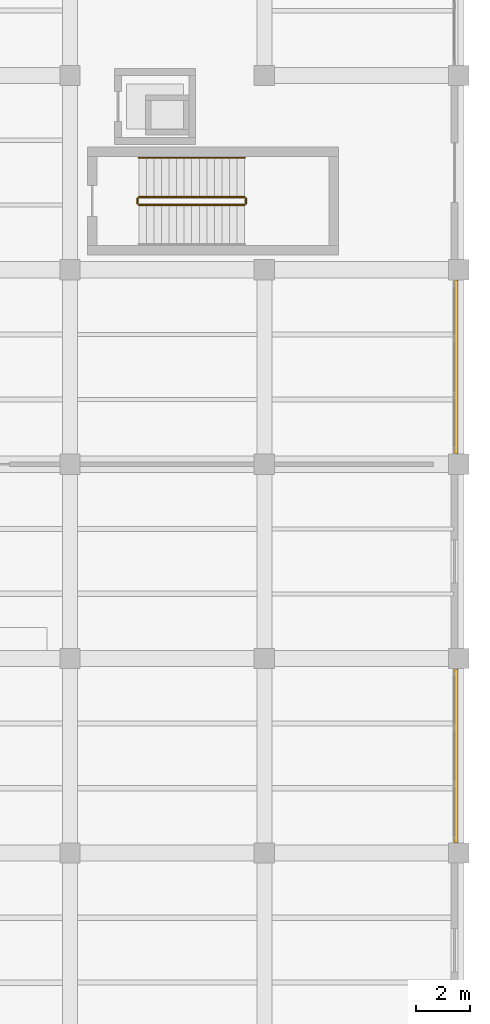
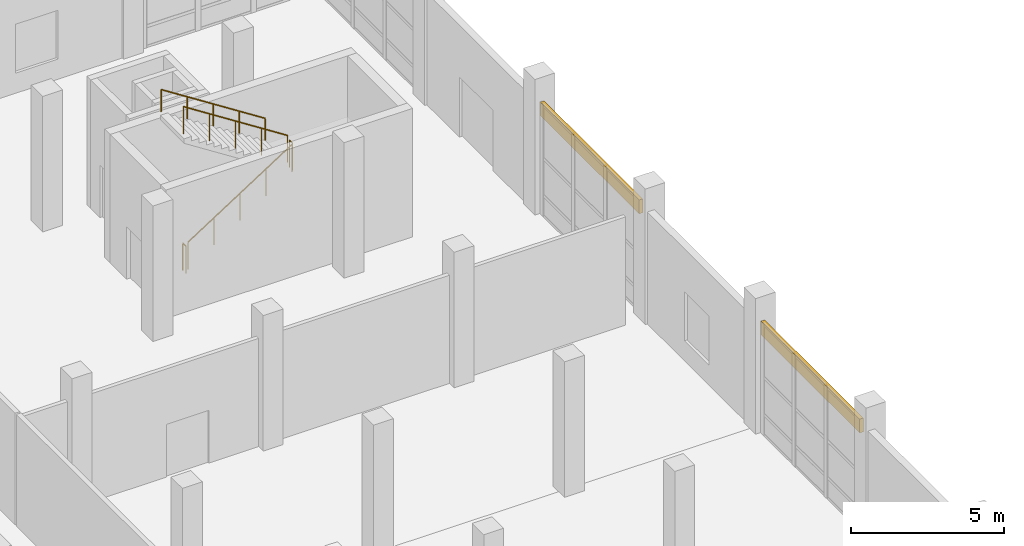
# One storey, part 135 of 137: 5 railings, 2 shading devices.
"""IFC4 building model written with IfcOpenShell, lengths in metres."""

from ifc_helpers import new_model, si_unit, direction, frame, origin, origin_2d, place, context, subcontext, project, spatial, rectangle, circle, extrude, material, layer, layer_set, type_object, element, save


model = new_model("IFC4")

# Units and contexts
model_context = context("Model", 3, precision=1e-05, world=origin(), true_north=direction((0.0, 1.0)))
body_context = subcontext(model_context, "Body", "Model", "MODEL_VIEW")
ifc_project = project(units=[si_unit("LENGTHUNIT", "METRE"), si_unit("AREAUNIT", "SQUARE_METRE"), si_unit("VOLUMEUNIT", "CUBIC_METRE"), si_unit("PLANEANGLEUNIT", "RADIAN"), si_unit("MASSUNIT", "GRAM", prefix="KILO")], contexts=[model_context])

# Site, building, storey
site_placement = place(None, origin())
site = spatial("IfcSite", under=ifc_project, at=site_placement, CompositionType="ELEMENT")
building_placement = place(site_placement, origin())
building = spatial("IfcBuilding", under=site, at=building_placement, Name="Kalmorath City Hall", CompositionType="ELEMENT")
storey_placement = place(building_placement, origin())
storey = spatial("IfcBuildingStorey", under=building, at=storey_placement, Name="L00", CompositionType="ELEMENT", Elevation=0.0)

# Shading devices
ifc_material_1 = material(Name="Bronze anodised storm louvre")
ifc_layer = layer(ifc_material_1, 0.139892578125)
ifc_layer_set = layer_set([ifc_layer], Name="Bronze anodised storm louvre")
shading_device_type = type_object("IfcShadingDeviceType", Name="Hurricane bronze storm louvre bank", PredefinedType="JALOUSIE", material=ifc_layer_set)
for number, where, z_axis, x_axis, name in (
    (1, (165.5, 82.800048828125, 3.8857421875), (0.0, 0.0, 1.0), (0.0, -1.0, 0.0), "L00 library storm louvre #47"),
    (2, (165.5, 68.39990234375, 3.8857421875), (0.0, 0.0, 1.0), (0.0, -1.0, 0.0), "L00 library storm louvre #48"),
):
    element("IfcShadingDevice", number, at=place(storey_placement, frame(where, z_axis=z_axis, x_axis=x_axis)), inside=storey, type_object=shading_device_type, Name=name, PredefinedType="JALOUSIE", context=body_context, shape_type="SweptSolid", body=[
        extrude(rectangle(XDim=6.447998046875, YDim=0.139892578125, at=origin_2d()), origin(), (0.0, 0.0, 1.0), 0.550048828125),
    ])

# Railings
ifc_material_2 = material(Name="Painted steel guardrail", Category="steel")
railing_type_1 = type_object("IfcRailingType", Name="Protected stair guardrail 1100", PredefinedType="GUARDRAIL", material=ifc_material_2)
railing_1_placement = place(storey_placement, frame((153.75, 88.800048828125, 0.179931640625)))
element("IfcRailing", 3, at=railing_1_placement, inside=storey, type_object=railing_type_1, Name="L00 ST-6 stair guard 1", PredefinedType="GUARDRAIL", context=body_context, shape_type="SweptSolid", body=[
    extrude(circle(Radius=0.02392578125, at=origin_2d()), frame((0.0, 0.0, 1.076171875), z_axis=(0.841171666519, 0.0, 0.540768182723), x_axis=(0.0, 1.0, 0.0)), (0.0, 0.0, 1.0), 4.66015625),
    extrude(circle(Radius=0.02099609375, at=origin_2d()), origin(), (0.0, 0.0, 1.0), 1.052001953125),
    extrude(circle(Radius=0.02099609375, at=origin_2d()), frame((0.97998046875, 0.0, 0.6298828125)), (0.0, 0.0, 1.0), 1.052001953125),
    extrude(circle(Radius=0.02099609375, at=origin_2d()), frame((1.9599609375, 0.0, 1.260009765625)), (0.0, 0.0, 1.0), 1.052001953125),
    extrude(circle(Radius=0.02099609375, at=origin_2d()), frame((2.93994140625, 0.0, 1.89013671875)), (0.0, 0.0, 1.0), 1.052001953125),
    extrude(circle(Radius=0.02099609375, at=origin_2d()), frame((3.919921875, 0.0, 2.52001953125)), (0.0, 0.0, 1.0), 1.052001953125),
])
railing_2_placement = place(storey_placement, frame((157.719970703125, 88.85009765625, 2.699951171875)))
element("IfcRailing", 4, at=railing_2_placement, inside=storey, type_object=railing_type_1, Name="L00 ST-6 stair guard 2", PredefinedType="GUARDRAIL", context=body_context, shape_type="SweptSolid", body=[
    extrude(circle(Radius=0.02392578125, at=origin_2d()), frame((0.0, 0.0, 1.076171875), z_axis=(0.0, 1.0, 0.0), x_axis=(-1.0, 0.0, 0.0)), (0.0, 0.0, 1.0), 0.199951171875),
    extrude(circle(Radius=0.02099609375, at=origin_2d()), origin(), (0.0, 0.0, 1.0), 1.052001953125),
    extrude(circle(Radius=0.02099609375, at=origin_2d()), frame((0.0, 0.199951171875, 0.0)), (0.0, 0.0, 1.0), 1.052001953125),
])
railing_3_placement = place(storey_placement, frame((157.669921875, 89.10009765625, 2.8798828125)))
element("IfcRailing", 5, at=railing_3_placement, inside=storey, type_object=railing_type_1, Name="L00 ST-6 stair guard 3", PredefinedType="GUARDRAIL", context=body_context, shape_type="SweptSolid", body=[
    extrude(circle(Radius=0.02392578125, at=origin_2d()), frame((0.0, 0.0, 1.076171875), z_axis=(-0.841171666519, 0.0, 0.540768182723), x_axis=(0.0, -1.0, 0.0)), (0.0, 0.0, 1.0), 4.66015625),
    extrude(circle(Radius=0.02099609375, at=origin_2d()), origin(), (0.0, 0.0, 1.0), 1.052001953125),
    extrude(circle(Radius=0.02099609375, at=origin_2d()), frame((-0.97998046875, 0.0, 0.6298828125)), (0.0, 0.0, 1.0), 1.052001953125),
    extrude(circle(Radius=0.02099609375, at=origin_2d()), frame((-1.9599609375, 0.0, 1.260009765625)), (0.0, 0.0, 1.0), 1.052001953125),
    extrude(circle(Radius=0.02099609375, at=origin_2d()), frame((-2.93994140625, 0.0, 1.89013671875)), (0.0, 0.0, 1.0), 1.052001953125),
    extrude(circle(Radius=0.02099609375, at=origin_2d()), frame((-3.919921875, 0.0, 2.52001953125)), (0.0, 0.0, 1.0), 1.052001953125),
])
railing_4_placement = place(storey_placement, frame((153.699951171875, 88.85009765625, 0.0)))
element("IfcRailing", 6, at=railing_4_placement, inside=storey, type_object=railing_type_1, Name="L00 ST-6 stair guard 4", PredefinedType="GUARDRAIL", context=body_context, shape_type="SweptSolid", body=[
    extrude(circle(Radius=0.02392578125, at=origin_2d()), frame((0.0, 0.0, 1.076171875), z_axis=(0.0, 1.0, 0.0), x_axis=(-1.0, 0.0, 0.0)), (0.0, 0.0, 1.0), 0.199951171875),
    extrude(circle(Radius=0.02099609375, at=origin_2d()), origin(), (0.0, 0.0, 1.0), 1.052001953125),
    extrude(circle(Radius=0.02099609375, at=origin_2d()), frame((0.0, 0.199951171875, 0.0)), (0.0, 0.0, 1.0), 1.052001953125),
])
ifc_material_3 = material(Name="Brushed stainless steel handrail", Category="steel")
railing_type_2 = type_object("IfcRailingType", Name="Stair pitch handrail 900", PredefinedType="HANDRAIL", material=ifc_material_3)
railing_5_placement = place(storey_placement, frame((157.669921875, 90.550048828125, 2.8798828125)))
element("IfcRailing", 7, at=railing_5_placement, inside=storey, type_object=railing_type_2, Name="L00 ST-6 stair handrail 2", PredefinedType="HANDRAIL", context=body_context, shape_type="SweptSolid", body=[
    extrude(circle(Radius=0.02392578125, at=origin_2d()), frame((0.0, 0.0, 0.8759765625), z_axis=(-0.841171666519, 0.0, 0.540768182723), x_axis=(0.0, -1.0, 0.0)), (0.0, 0.0, 1.0), 4.66015625),
    extrude(circle(Radius=0.02099609375, at=origin_2d()), origin(), (0.0, 0.0, 1.0), 0.851806640625),
    extrude(circle(Radius=0.02099609375, at=origin_2d()), frame((-0.97998046875, 0.0, 0.6298828125)), (0.0, 0.0, 1.0), 0.851806640625),
    extrude(circle(Radius=0.02099609375, at=origin_2d()), frame((-1.9599609375, 0.0, 1.260009765625)), (0.0, 0.0, 1.0), 0.851806640625),
    extrude(circle(Radius=0.02099609375, at=origin_2d()), frame((-2.93994140625, 0.0, 1.89013671875)), (0.0, 0.0, 1.0), 0.851806640625),
    extrude(circle(Radius=0.02099609375, at=origin_2d()), frame((-3.919921875, 0.0, 2.52001953125)), (0.0, 0.0, 1.0), 0.851806640625),
])

save(model, "model.ifc")
